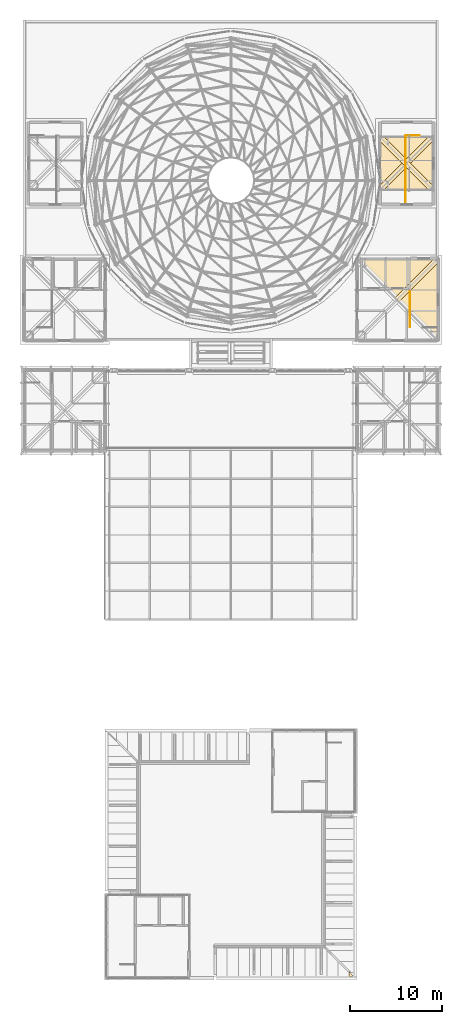
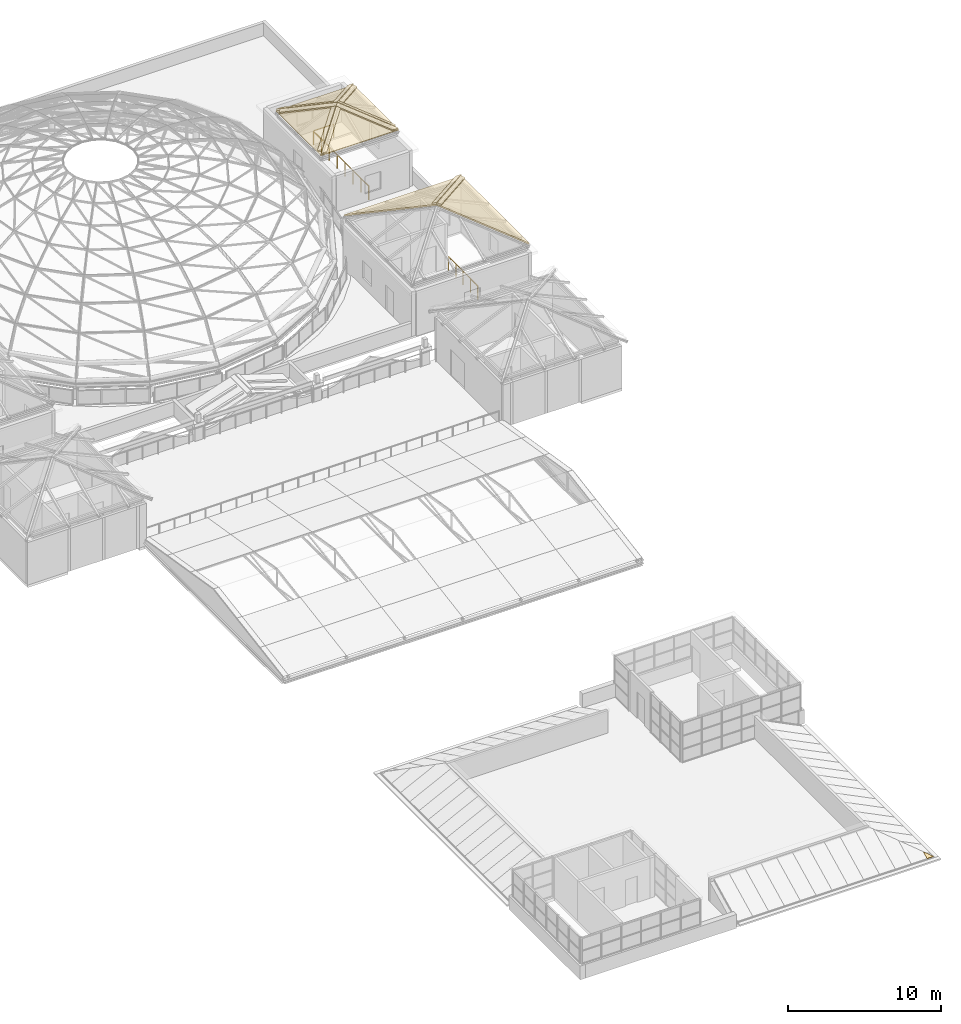
# One storey, part 68 of 69: 17 coverings, 3 railings.
"""IFC4 building model written with IfcOpenShell, lengths in metres."""

from ifc_helpers import new_model, si_unit, direction, frame, origin, origin_2d, place, context, subcontext, project, spatial, polyline, circle, outline, extrude, material, layer, layer_set, type_object, element, save


model = new_model("IFC4")

# Units and contexts
model_context = context("Model", 3, precision=1e-05, world=origin(), true_north=direction((0.0, 1.0)))
body_context = subcontext(model_context, "Body", "Model", "MODEL_VIEW")
ifc_project = project(units=[si_unit("LENGTHUNIT", "METRE"), si_unit("AREAUNIT", "SQUARE_METRE"), si_unit("VOLUMEUNIT", "CUBIC_METRE"), si_unit("PLANEANGLEUNIT", "RADIAN"), si_unit("MASSUNIT", "GRAM", prefix="KILO")], contexts=[model_context])

# Site, building, storey
site_placement = place(None, origin())
site = spatial("IfcSite", under=ifc_project, at=site_placement, CompositionType="ELEMENT")
building_placement = place(site_placement, origin())
building = spatial("IfcBuilding", under=site, at=building_placement, Name="Kallimachos Central Library", CompositionType="ELEMENT")
storey_placement = place(building_placement, frame((0.0, 0.0, 23.39990234375)))
storey = spatial("IfcBuildingStorey", under=building, at=storey_placement, Name="L05", CompositionType="ELEMENT", Elevation=23.39990234375)

# Coverings
ifc_material_1 = material(Name="Glazed ceramic hip tile")
ifc_layer_1 = layer(ifc_material_1, 0.1201171875)
ifc_layer_set_1 = layer_set([ifc_layer_1], Name="Ceramic hip tile 300")
covering_type_1 = type_object("IfcCoveringType", Name="Ceramic hip tile 300", PredefinedType="MOLDING", material=ifc_layer_set_1)
covering_1_placement = place(storey_placement, frame((105.98583984375, 91.51416015625, 6.435546875), z_axis=(-3.056612e-05, 0.406744607854, 0.913541910942), x_axis=(-0.67445632232, 0.674473081909, -0.300324376404)))
element("IfcCovering", 1, at=covering_1_placement, inside=storey, type_object=covering_type_1, Name="Head-house roof V1-SE hip tile", PredefinedType="MOLDING", context=body_context, shape_type="SweptSolid", body=[
    extrude(outline(polyline([(0.0, 0.0), (0.31456181297449826, 0.0), (0.8791892132729303, -6.23676214063371), (0.5931709926014294, -6.549860948916669), (0.0, 0.0)])), origin(), (0.0, 0.0, -1.0), 0.1201171875),
])
covering_2_placement = place(storey_placement, frame((110.251953125, 95.7236328125, 4.548583984375), z_axis=(0.406522422239, 0.000261720256, 0.913640767326), x_axis=(0.674461665725, -0.674653452082, -0.299906954005)))
element("IfcCovering", 2, at=covering_2_placement, inside=storey, type_object=covering_type_1, Name="Head-house roof V1-SE hip tile", PredefinedType="MOLDING", context=body_context, shape_type="SweptSolid", body=[
    extrude(outline(polyline([(0.0, 0.0), (0.293481167964776, -2.0816681711721685e-17), (0.31242285424149907, -0.02072399320001158), (-0.25053876741853565, -6.257636714854118), (-0.5651005419729046, -6.257720735271162), (0.0, 0.0)])), origin(), (0.0, 0.0, -1.0), 0.1201171875),
])
covering_3_placement = place(storey_placement, frame((107.01416015625, 106.260986328125, 5.167724609375), z_axis=(-8.8840632e-05, -0.406652913018, 0.913582727749), x_axis=(0.674103355643, -0.674830389029, -0.300314188732)))
element("IfcCovering", 3, at=covering_3_placement, inside=storey, type_object=covering_type_1, Name="Head-house roof V1-NE hip tile", PredefinedType="MOLDING", context=body_context, shape_type="SweptSolid", body=[
    extrude(outline(polyline([(0.0, 0.0), (0.31472652479206964, -1.0408340855860843e-17), (0.6807170659396693, -4.021721493531139), (0.39484852864691117, -4.334956971149855), (0.0, 0.0)])), origin(), (0.0, 0.0, -1.0), 0.1201171875),
])
covering_4_placement = place(storey_placement, frame((104.248046875, 103.55126953125, 3.94873046875), z_axis=(-0.406744035647, -4.68806e-07, 0.913542166222), x_axis=(-0.674457842639, 0.674485009944, -0.300294172211)))
element("IfcCovering", 4, at=covering_4_placement, inside=storey, type_object=covering_type_1, Name="Head-house roof V1-NE hip tile", PredefinedType="MOLDING", context=body_context, shape_type="SweptSolid", body=[
    extrude(outline(polyline([(0.0, 0.0), (0.29355440664375065, 3.469446951953614e-18), (0.3126560329019281, -0.02090856222676218), (-0.05142064554453912, -4.042638421699104), (-0.36598245793225637, -4.042650644617414), (0.0, 0.0)])), origin(), (0.0, 0.0, -1.0), 0.1201171875),
])
covering_5_placement = place(storey_placement, frame((106.773681640625, 106.048583984375, 5.0732421875), z_axis=(8.8840632e-05, -0.406652913018, 0.913582727749), x_axis=(0.674103355643, 0.674830389029, 0.300314188732)))
element("IfcCovering", 5, at=covering_5_placement, inside=storey, type_object=covering_type_1, Name="Head-house roof V1-NE hip tile", PredefinedType="MOLDING", context=body_context, shape_type="SweptSolid", body=[
    extrude(outline(polyline([(0.0, 0.0), (0.31472652479206964, 1.0408340855860843e-17), (-0.08012200385484142, -4.334956971149855), (-0.3659905411475995, -4.021721493531139), (0.0, 0.0)])), origin(), (0.0, 0.0, -1.0), 0.1201171875),
])
covering_6_placement = place(storey_placement, frame((107.01416015625, 106.2890625, 5.167724609375), z_axis=(0.406744035647, -4.68806e-07, 0.913542166222), x_axis=(0.674481784641, 0.67445632178, -0.300304832125)))
element("IfcCovering", 6, at=covering_6_placement, inside=storey, type_object=covering_type_1, Name="Head-house roof V1-NE hip tile", PredefinedType="MOLDING", context=body_context, shape_type="SweptSolid", body=[
    extrude(outline(polyline([(0.0, 0.0), (0.31456181262519, -6.938893903907228e-18), (0.6787947630255489, -4.021715709520339), (0.6596939492251268, -4.042625013962598), (0.3661395428029899, -4.042636420596805), (0.0, 0.0)])), origin(), (0.0, 0.0, -1.0), 0.1201171875),
])
covering_7_placement = place(storey_placement, frame((104.078369140625, 109.22509765625, 3.860595703125), z_axis=(3.2568234e-05, 0.406739597286, 0.913544141757), x_axis=(0.99999999947, -1.324679e-05, -2.975252e-05)))
element("IfcCovering", 7, at=covering_7_placement, inside=storey, type_object=covering_type_1, Name="Head-house roof V1-NE hip tile", PredefinedType="MOLDING", context=body_context, shape_type="SweptSolid", body=[
    extrude(outline(polyline([(0.0, 0.0), (0.42407226540009546, 0.0), (3.147949220419499, -2.9816131776810995), (2.935791016732173, -3.213858803618895), (0.0, 0.0)])), origin(), (0.0, 0.0, -1.0), 0.1201171875),
])
covering_8_placement = place(storey_placement, frame((106.98583984375, 106.260986328125, 5.167724609375), z_axis=(-0.406744035812, 4.68661e-07, 0.913542166148), x_axis=(-0.674128791057, -0.674879064531, -0.300147665868)))
element("IfcCovering", 8, at=covering_8_placement, inside=storey, type_object=covering_type_1, Name="Head-house roof V1-NE hip tile", PredefinedType="MOLDING", context=body_context, shape_type="SweptSolid", body=[
    extrude(outline(polyline([(0.0, 0.0), (0.3147265264309761, 1.734723475976807e-17), (0.6764913033909676, -4.0221038145415875), (0.6573785173837472, -4.043002175987875), (0.3638241525741563, -4.04284545585698), (0.0, 0.0)])), origin(), (0.0, 0.0, -1.0), 0.1201171875),
])
covering_9_placement = place(storey_placement, frame((106.98583984375, 106.2890625, 5.167724609375), z_axis=(-3.2568234e-05, 0.406739597286, 0.913544141757), x_axis=(-0.674456322568, 0.67447417962, -0.300321910578)))
element("IfcCovering", 9, at=covering_9_placement, inside=storey, type_object=covering_type_1, Name="Head-house roof V1-NE hip tile", PredefinedType="MOLDING", context=body_context, shape_type="SweptSolid", body=[
    extrude(outline(polyline([(0.0, 0.0), (0.3145618129383657, 1.3877787807814457e-17), (0.6787947623941704, -4.022046390326457), (0.3927765416175504, -4.335145198477088), (0.0, 0.0)])), origin(), (0.0, 0.0, -1.0), 0.1201171875),
])
covering_10_placement = place(storey_placement, frame((109.751953125, 108.998779296875, 3.94873046875), z_axis=(0.406744035812, 4.68661e-07, 0.913542166148), x_axis=(0.674457842545, -0.674485009944, -0.300294172423)))
element("IfcCovering", 10, at=covering_10_placement, inside=storey, type_object=covering_type_1, Name="Head-house roof V1-NE hip tile", PredefinedType="MOLDING", context=body_context, shape_type="SweptSolid", body=[
    extrude(outline(polyline([(0.0, 0.0), (0.2935544066437461, 1.3877787807814457e-17), (0.31265603290192356, -0.020908562226762142), (-0.05125597635265422, -4.042818667925197), (-0.3659824579322567, -4.0426506446174155), (0.0, 0.0)])), origin(), (0.0, 0.0, -1.0), 0.1201171875),
])
ifc_material_2 = material(Name="Glazed ceramic roof tile, ochre")
ifc_layer_2 = layer(ifc_material_2, 0.050048828125)
ifc_layer_set_2 = layer_set([ifc_layer_2], Name="Glazed ceramic roof tile, ochre")
covering_type_2 = type_object("IfcCoveringType", Name="Glazed ceramic roof tile, ochre", PredefinedType="ROOFING", material=ifc_layer_set_2)
covering_11_placement = place(storey_placement, frame((101.300048828125, 18.199951171875, 0.2001953125), z_axis=(0.0, -0.4472135955, 0.894427191), x_axis=(-1.0, 0.0, 0.0)))
element("IfcCovering", 11, at=covering_11_placement, inside=storey, type_object=covering_type_2, Name="Roof tile band South", PredefinedType="ROOFING", context=body_context, shape_type="SweptSolid", body=[
    extrude(outline(polyline([(0.0, 0.0), (0.5, 0.0), (0.5, -0.5590169943749475), (0.0, 0.0)])), origin(), (0.0, 0.0, -1.0), 0.050048828125),
])
ifc_material_3 = material(Name="Glazed ceramic tile on deck")
ifc_layer_3 = layer(ifc_material_3, 0.10009765625)
ifc_layer_set_3 = layer_set([ifc_layer_3], Name="Glazed ceramic tile roofing 100")
covering_type_3 = type_object("IfcCoveringType", Name="Glazed ceramic tile roofing 100", PredefinedType="ROOFING", material=ifc_layer_set_3)
for number, where, z_axis, x_axis, name in (
    (12, (110.449951171875, 95.949951171875, 4.3291015625), (0.0, 0.406770806007, 0.91353024656), (-1.0, 0.0, 0.0), "Head-house roof V1-SE roofing N"),
    (13, (110.449951171875, 87.050048828125, 4.3291015625), (0.406770806007, 0.0, 0.91353024656), (0.0, 1.0, 0.0), "Head-house roof V1-SE roofing E"),
):
    element("IfcCovering", number, at=place(storey_placement, frame(where, z_axis=z_axis, x_axis=x_axis)), inside=storey, type_object=covering_type_3, Name=name, PredefinedType="ROOFING", context=body_context, shape_type="SweptSolid", body=[
        extrude(outline(polyline([(0.0, 0.0), (8.89990234375, 0.0), (4.449951171875, 4.871159098048421), (0.0, 0.0)])), origin(), (0.0, 0.0, -1.0), 0.10009765625),
    ])
covering_12_placement = place(storey_placement, frame((104.050048828125, 103.324951171875, 3.729248046875), z_axis=(0.0, -0.406755685503, 0.91353697917), x_axis=(1.0, 0.0, 0.0)))
element("IfcCovering", 14, at=covering_12_placement, inside=storey, type_object=covering_type_3, Name="Head-house roof V1-NE roofing S", PredefinedType="ROOFING", context=body_context, shape_type="SweptSolid", body=[
    extrude(outline(polyline([(0.0, 0.0), (5.89990234375, 0.0), (2.949951171875, 3.2291535418253967), (0.0, 0.0)])), origin(), (0.0, 0.0, -1.0), 0.10009765625),
])
covering_13_placement = place(storey_placement, frame((109.949951171875, 109.22509765625, 3.729248046875), z_axis=(0.0, 0.40672759341, 0.91354948676), x_axis=(-1.0, 0.0, 0.0)))
element("IfcCovering", 15, at=covering_13_placement, inside=storey, type_object=covering_type_3, Name="Head-house roof V1-NE roofing N", PredefinedType="ROOFING", context=body_context, shape_type="SweptSolid", body=[
    extrude(outline(polyline([(0.0, 0.0), (5.89990234375, 0.0), (2.949951171875, 3.2293765748413095), (0.0, 0.0)])), origin(), (0.0, 0.0, -1.0), 0.10009765625),
])
covering_14_placement = place(storey_placement, frame((104.050048828125, 103.324951171875, 3.729248046875), z_axis=(-0.406755685503, 0.0, 0.91353697917), x_axis=(0.674468043856, 0.674468043856, 0.300309366544)))
element("IfcCovering", 16, at=covering_14_placement, inside=storey, type_object=covering_type_3, Name="Head-house roof V1-NE roofing W", PredefinedType="ROOFING", context=body_context, shape_type="SweptSolid", body=[
    extrude(outline(polyline([(0.0, 0.0), (4.373744907185396, 1.1102230246251565e-16), (3.9794602577809686, 4.3561019953422235), (0.0, 0.0)])), origin(), (0.0, 0.0, -1.0), 0.10009765625),
])
covering_15_placement = place(storey_placement, frame((109.949951171875, 103.324951171875, 3.729248046875), z_axis=(0.406755685503, 0.0, 0.91353697917), x_axis=(0.0, 1.0, 0.0)))
element("IfcCovering", 17, at=covering_15_placement, inside=storey, type_object=covering_type_3, Name="Head-house roof V1-NE roofing E", PredefinedType="ROOFING", context=body_context, shape_type="SweptSolid", body=[
    extrude(outline(polyline([(0.0, 0.0), (5.900146484375, 0.0), (2.949951171875, 3.2291535418253963), (0.0, 0.0)])), origin(), (0.0, 0.0, -1.0), 0.10009765625),
])

# Railings
ifc_material_4 = material(Name="Wrought iron")
railing_type = type_object("IfcRailingType", Name="Wrought-iron stair guard 1100", PredefinedType="GUARDRAIL", material=ifc_material_4)
railing_1_placement = place(storey_placement, frame((107.39990234375, 92.376220703125, 0.0)))
element("IfcRailing", 18, at=railing_1_placement, inside=storey, type_object=railing_type, Name="L05 ST2 roof stair well guard", PredefinedType="GUARDRAIL", context=body_context, shape_type="SweptSolid", body=[
    extrude(circle(Radius=0.02392578125, at=origin_2d()), frame((0.0, 0.0, 1.076171875), z_axis=(0.0, -1.0, 0.0), x_axis=(1.0, 0.0, 0.0)), (0.0, 0.0, 1.0), 3.822265625),
    extrude(circle(Radius=0.02099609375, at=origin_2d()), origin(), (0.0, 0.0, 1.0), 1.052001953125),
    extrude(circle(Radius=0.02099609375, at=origin_2d()), frame((0.0, -0.95556640625, 0.0)), (0.0, 0.0, 1.0), 1.052001953125),
    extrude(circle(Radius=0.02099609375, at=origin_2d()), frame((0.0, -1.9111328125, 0.0)), (0.0, 0.0, 1.0), 1.052001953125),
    extrude(circle(Radius=0.02099609375, at=origin_2d()), frame((0.0, -2.86669921875, 0.0)), (0.0, 0.0, 1.0), 1.052001953125),
    extrude(circle(Radius=0.02099609375, at=origin_2d()), frame((0.0, -3.822265625, 0.0)), (0.0, 0.0, 1.0), 1.052001953125),
])
railing_2_placement = place(storey_placement, frame((106.949951171875, 109.27490234375, 0.0)))
element("IfcRailing", 19, at=railing_2_placement, inside=storey, type_object=railing_type, Name="L05 ST4 top well guard 1", PredefinedType="GUARDRAIL", context=body_context, shape_type="SweptSolid", body=[
    extrude(circle(Radius=0.02392578125, at=origin_2d()), frame((0.0, 0.0, 1.076171875), z_axis=(1.0, 0.0, 0.0), x_axis=(0.0, 1.0, 0.0)), (0.0, 0.0, 1.0), 1.5),
    extrude(circle(Radius=0.02099609375, at=origin_2d()), origin(), (0.0, 0.0, 1.0), 1.052001953125),
    extrude(circle(Radius=0.02099609375, at=origin_2d()), frame((0.75, 0.0, 0.0)), (0.0, 0.0, 1.0), 1.052001953125),
    extrude(circle(Radius=0.02099609375, at=origin_2d()), frame((1.5, 0.0, 0.0)), (0.0, 0.0, 1.0), 1.052001953125),
])
railing_3_placement = place(storey_placement, frame((106.89990234375, 109.220947265625, 0.0)))
element("IfcRailing", 20, at=railing_3_placement, inside=storey, type_object=railing_type, Name="L05 ST4 roof stair well guard", PredefinedType="GUARDRAIL", context=body_context, shape_type="SweptSolid", body=[
    extrude(circle(Radius=0.02392578125, at=origin_2d()), frame((0.0, 0.0, 1.076171875), z_axis=(0.0, -1.0, 0.0), x_axis=(1.0, 0.0, 0.0)), (0.0, 0.0, 1.0), 7.245849609375),
    extrude(circle(Radius=0.02099609375, at=origin_2d()), origin(), (0.0, 0.0, 1.0), 1.052001953125),
    extrude(circle(Radius=0.02099609375, at=origin_2d()), frame((0.0, -1.03515625, 0.0)), (0.0, 0.0, 1.0), 1.052001953125),
    extrude(circle(Radius=0.02099609375, at=origin_2d()), frame((0.0, -2.0703125, 0.0)), (0.0, 0.0, 1.0), 1.052001953125),
    extrude(circle(Radius=0.02099609375, at=origin_2d()), frame((0.0, -3.10546875, 0.0)), (0.0, 0.0, 1.0), 1.052001953125),
    extrude(circle(Radius=0.02099609375, at=origin_2d()), frame((0.0, -4.140380859375, 0.0)), (0.0, 0.0, 1.0), 1.052001953125),
    extrude(circle(Radius=0.02099609375, at=origin_2d()), frame((0.0, -5.175537109375, 0.0)), (0.0, 0.0, 1.0), 1.052001953125),
    extrude(circle(Radius=0.02099609375, at=origin_2d()), frame((0.0, -6.210693359375, 0.0)), (0.0, 0.0, 1.0), 1.052001953125),
    extrude(circle(Radius=0.02099609375, at=origin_2d()), frame((0.0, -7.245849609375, 0.0)), (0.0, 0.0, 1.0), 1.052001953125),
])

save(model, "model.ifc")
